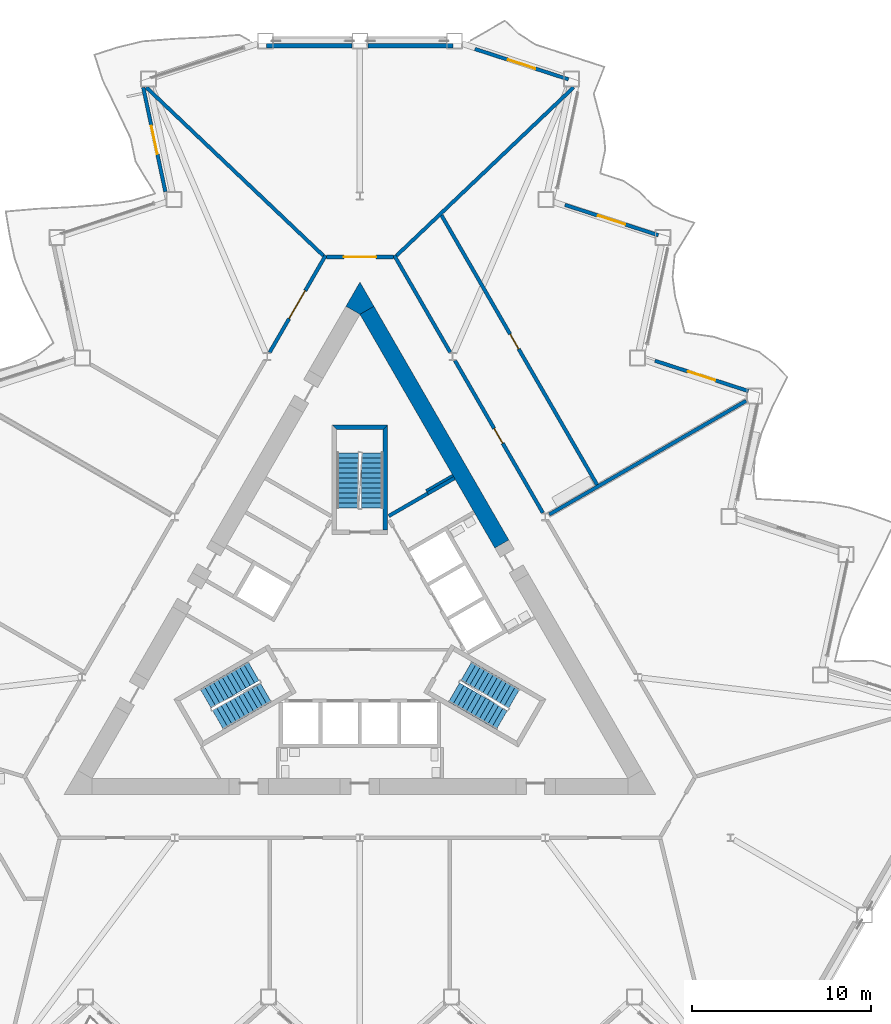
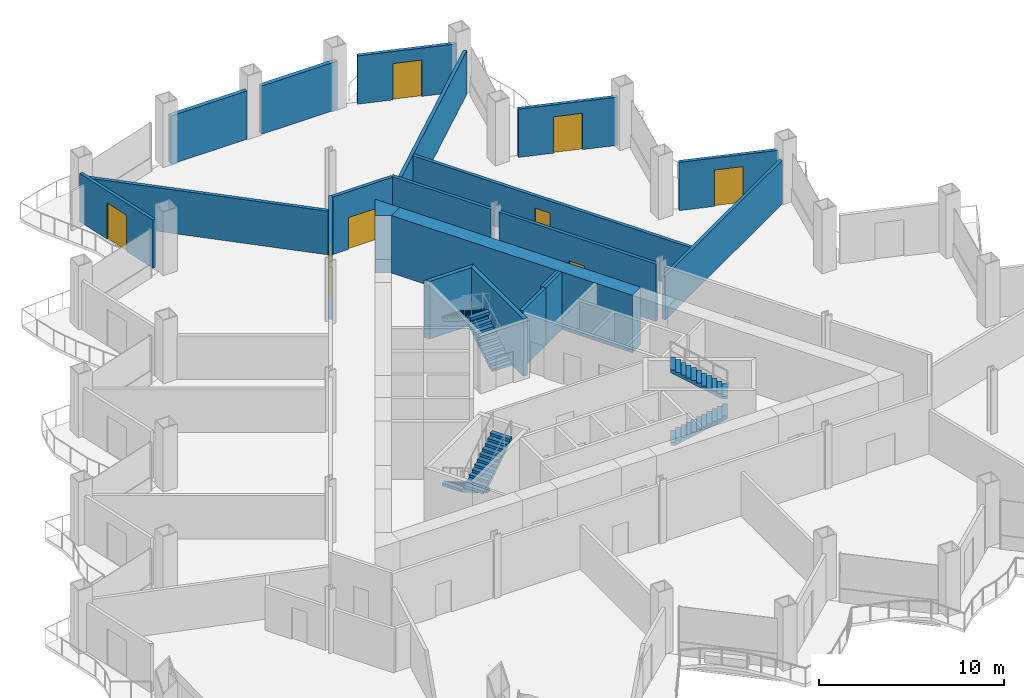
# One storey, part 13 of 21: 21 walls, 8 doors, 6 stair flights, 8 openings, 3 elements without a shape of their own.
"""IFC4 building model written with IfcOpenShell, lengths in metres."""

import ifcopenshell
import ifcopenshell.guid

model = None  # the IFC model being written
_history = None  # IfcOwnerHistory: only IFC2X3 demands one
_inside = {}  # id of a spatial element -> (the spatial element, [elements in it])
_under = {}  # id of a project, library or spatial element -> (it, [spatial elements below it])
_declared = {}  # id of a project -> (the project, [libraries it declares])
_typed = {}  # id of a type object -> (the type object, [elements of that type])
_made_of = {}  # id of a material, layer set ... -> (it, [elements and type objects made of it])


def new_model(schema):
    """Start an empty IFC model of exactly this schema.

    Asked for "IFC4X3", IfcOpenShell would pick the latest addendum, in which some entities
    have other attributes; the version numbers below select the first issue.
    IFC2X3 requires an IfcOwnerHistory on every rooted entity: one is made here for all.
    """
    global model, _history
    if schema == "IFC4X3":
        model = ifcopenshell.file(schema_version=(4, 3, 0, 0))
    else:
        model = ifcopenshell.file(schema=schema)
    _inside.clear()
    _under.clear()
    _declared.clear()
    _typed.clear()
    _made_of.clear()
    _history = None
    if model.schema == "IFC2X3":
        org = make("IfcOrganization", Name="unknown")
        user = make(
            "IfcPersonAndOrganization",
            ThePerson=make("IfcPerson", FamilyName="unknown"),
            TheOrganization=org,
        )
        app = make(
            "IfcApplication",
            ApplicationDeveloper=org,
            Version="unknown",
            ApplicationFullName="unknown",
            ApplicationIdentifier="unknown",
        )
        _history = make(
            "IfcOwnerHistory",
            OwningUser=user,
            OwningApplication=app,
            ChangeAction="ADDED",
            CreationDate=0,
        )
    return model


def make(cls, **values):
    """One entity of the class cls with the attributes given. An attribute that is None is left unset."""
    return model.create_entity(
        cls, **{name: value for name, value in values.items() if value is not None}
    )


def rooted(cls, **values):
    """An entity with a GlobalId (a new one), such as an element, a storey or a relation."""
    return make(cls, GlobalId=ifcopenshell.guid.new(), OwnerHistory=_history, **values)


def si_unit(unit_type, name, prefix=None):
    """IfcSIUnit, for example si_unit("LENGTHUNIT", "METRE", prefix="MILLI")."""
    return make("IfcSIUnit", UnitType=unit_type, Prefix=prefix, Name=name)


def assignment(units):
    """IfcUnitAssignment: the units of a project."""
    return None if units is None else make("IfcUnitAssignment", Units=units)


def point(xyz):
    """IfcCartesianPoint."""
    return None if xyz is None else make("IfcCartesianPoint", Coordinates=xyz)


def direction(xyz):
    """IfcDirection."""
    return None if xyz is None else make("IfcDirection", DirectionRatios=xyz)


def frame(location, z_axis=None, x_axis=None):
    """IfcAxis2Placement3D, a coordinate frame: its origin and axes. An axis left out is left unset."""
    return make(
        "IfcAxis2Placement3D",
        Location=point(location),
        Axis=direction(z_axis),
        RefDirection=direction(x_axis),
    )


def frame_2d(location, x_axis=None):
    """IfcAxis2Placement2D, a coordinate frame in the plane: its origin and x axis."""
    return make(
        "IfcAxis2Placement2D", Location=point(location), RefDirection=direction(x_axis)
    )


def origin():
    """The frame at (0, 0, 0) with its axes left unset."""
    return frame((0.0, 0.0, 0.0))


def place(relative_to, where):
    """IfcLocalPlacement: puts the frame where relative to a parent placement (None: the world)."""
    return make(
        "IfcLocalPlacement", PlacementRelTo=relative_to, RelativePlacement=where
    )


def context(
    kind, dimensions, precision=None, world=None, true_north=None, identifier=None
):
    """IfcGeometricRepresentationContext, for example the 3D "Model" context."""
    return make(
        "IfcGeometricRepresentationContext",
        ContextIdentifier=identifier,
        ContextType=kind,
        CoordinateSpaceDimension=dimensions,
        Precision=precision,
        WorldCoordinateSystem=world,
        TrueNorth=true_north,
    )


def subcontext(parent, identifier, kind, view, scale=None):
    """IfcGeometricRepresentationSubContext, for example "Body" below "Model"."""
    return make(
        "IfcGeometricRepresentationSubContext",
        ContextIdentifier=identifier,
        ContextType=kind,
        ParentContext=parent,
        TargetScale=scale,
        TargetView=view,
    )


def project(units=None, contexts=None):
    """IfcProject with its units and contexts."""
    return rooted(
        "IfcProject",
        Name="project",
        RepresentationContexts=contexts,
        UnitsInContext=assignment(units),
    )


def spatial(cls, under=None, at=None, **own):
    """A site, building, storey or space (cls), placed at a placement, below another one or the project."""
    s = rooted(cls, ObjectPlacement=at, **own)
    if under is not None:
        _under.setdefault(under.id(), (under, []))[1].append(s)
    return s


def polyline(points):
    """IfcPolyline through the points."""
    return make("IfcPolyline", Points=[point(p) for p in points])


def profile(cls, at=None, kind="AREA", **sizes):
    """A parametric profile (cls). Its sizes go by their IFC names, for example OverallWidth=200.0."""
    return make(cls, ProfileType=kind, Position=at, **sizes)


def rectangle(**sizes):
    """IfcRectangleProfileDef."""
    return profile("IfcRectangleProfileDef", **sizes)


def outline(outer, holes=None, kind="AREA"):
    """IfcArbitraryClosedProfileDef: a profile drawn as a closed curve; with holes, ...WithVoids."""
    if holes is None:
        return make("IfcArbitraryClosedProfileDef", ProfileType=kind, OuterCurve=outer)
    return make(
        "IfcArbitraryProfileDefWithVoids",
        ProfileType=kind,
        OuterCurve=outer,
        InnerCurves=holes,
    )


def extrude(swept, where, along, depth):
    """IfcExtrudedAreaSolid: the profile swept, set in the frame where, extruded along a direction by depth."""
    return make(
        "IfcExtrudedAreaSolid",
        SweptArea=swept,
        Position=where,
        ExtrudedDirection=direction(along),
        Depth=depth,
    )


def shape(context_of_items, identifier, shape_type, items):
    """IfcShapeRepresentation: the items that make up one representation, for example the "Body"."""
    return make(
        "IfcShapeRepresentation",
        ContextOfItems=context_of_items,
        RepresentationIdentifier=identifier,
        RepresentationType=shape_type,
        Items=items,
    )


def material(Name=None, Category=None):
    """IfcMaterial."""
    return make("IfcMaterial", Name=Name, Category=Category)


def layer(
    of_material, thickness, ventilated=None, Name=None, Category=None, Priority=None
):
    """IfcMaterialLayer: one layer of a wall or slab, of a material (None: an air gap)."""
    return make(
        "IfcMaterialLayer",
        Material=of_material,
        LayerThickness=thickness,
        IsVentilated=ventilated,
        Name=Name,
        Category=Category,
        Priority=Priority,
    )


def layer_set(layers, Name=None):
    """IfcMaterialLayerSet."""
    return make("IfcMaterialLayerSet", MaterialLayers=layers, LayerSetName=Name)


def made_of(thing, what):
    """Note that an element or type object is made of a material, layer set ...; save() writes the relation."""
    if what is not None:
        _made_of.setdefault(what.id(), (what, []))[1].append(thing)
    return thing


def type_object(cls, material=None, **own):
    """A type object (cls), such as IfcWallType, which elements share."""
    return made_of(rooted(cls, **own), material)


def element(
    cls,
    number,
    at=None,
    inside=None,
    cuts=None,
    type_object=None,
    material=None,
    context=None,
    identifier="Body",
    shape_type=None,
    held_by="IfcProductDefinitionShape",
    body=None,
    shapes=None,
    **own,
):
    """One element of the class cls, such as IfcWall. Its Tag is "e" and its number.

    at: its placement. inside: the storey or other place that contains it. cuts: it is an
    opening in that element (IfcRelVoidsElement). A single representation is given by context,
    identifier, shape_type and body (its items); several are given by shapes. held_by: the class
    of the entity that holds the representations. save() writes the other relations.
    """
    e = rooted(cls, Tag="e%d" % number, ObjectPlacement=at, **own)
    if body is not None:
        shapes = [shape(context, identifier, shape_type, body)]
    if shapes is not None:
        e.Representation = make(held_by, Representations=shapes)
    if inside is not None:
        _inside.setdefault(inside.id(), (inside, []))[1].append(e)
    if cuts is not None:
        rooted(
            "IfcRelVoidsElement", RelatingBuildingElement=cuts, RelatedOpeningElement=e
        )
    if type_object is not None:
        _typed.setdefault(type_object.id(), (type_object, []))[1].append(e)
    return made_of(e, material)


def fill(opening, filler):
    """IfcRelFillsElement: the door or window that sits in an opening."""
    return rooted(
        "IfcRelFillsElement",
        RelatingOpeningElement=opening,
        RelatedBuildingElement=filler,
    )


def aggregate(whole, parts):
    """IfcRelAggregates: a whole, such as a stair, and the parts it consists of."""
    return rooted("IfcRelAggregates", RelatingObject=whole, RelatedObjects=parts)


def save(model, path):
    """Write the relations noted so far, then the file.

    IfcRelAggregates (storeys below a building ...), IfcRelContainedInSpatialStructure (elements
    in a storey), IfcRelDefinesByType, IfcRelAssociatesMaterial and IfcRelDeclares: one each for
    every whole, place, type object, material and project.
    """
    for whole, parts in _under.values():
        aggregate(whole, parts)
    for where, things in _inside.values():
        rooted(
            "IfcRelContainedInSpatialStructure",
            RelatedElements=things,
            RelatingStructure=where,
        )
    for kind, things in _typed.values():
        rooted("IfcRelDefinesByType", RelatedObjects=things, RelatingType=kind)
    for what, things in _made_of.values():
        rooted("IfcRelAssociatesMaterial", RelatedObjects=things, RelatingMaterial=what)
    for by, libraries in _declared.values():
        rooted("IfcRelDeclares", RelatingContext=by, RelatedDefinitions=libraries)
    model.write(path)


model = new_model("IFC4")

# Units and contexts
model_context = context("Model", 3, precision=1e-05, world=origin(), true_north=direction((0.0, 1.0)))
body_context = subcontext(model_context, "Body", "Model", "MODEL_VIEW")
ifc_project = project(units=[si_unit("LENGTHUNIT", "METRE"), si_unit("AREAUNIT", "SQUARE_METRE"), si_unit("VOLUMEUNIT", "CUBIC_METRE"), si_unit("PLANEANGLEUNIT", "RADIAN"), si_unit("MASSUNIT", "GRAM", prefix="KILO")], contexts=[model_context])

# Site, building, storey
site_placement = place(None, origin())
site = spatial("IfcSite", under=ifc_project, at=site_placement, CompositionType="ELEMENT")
building_placement = place(site_placement, origin())
building = spatial("IfcBuilding", under=site, at=building_placement, Name="Cormorant Prow Tower", CompositionType="ELEMENT")
storey_placement = place(building_placement, frame((0.0, 0.0, 116.39990234375)))
storey = spatial("IfcBuildingStorey", under=building, at=storey_placement, Name="L24", CompositionType="ELEMENT", Elevation=116.39990234375)

# Walls
ifc_material_1 = material(Name="Gypsum board partition")
ifc_layer_1 = layer(ifc_material_1, 0.14990234375)
ifc_layer_set_1 = layer_set([ifc_layer_1], Name="Gypsum board partition")
wall_type_1 = type_object("IfcWallType", Name="Core partition 150", PredefinedType="PARTITIONING", material=ifc_layer_set_1)
wall_1_placement = place(storey_placement, frame((3.693359375, 7.4150390625, 0.0), z_axis=(0.0, 0.0, 1.0), x_axis=(0.866024871741, 0.500000921525, 0.0)))
element("IfcWall", 1, at=wall_1_placement, inside=storey, type_object=wall_type_1, Name="Service room partition", PredefinedType="PARTITIONING", context=body_context, shape_type="SweptSolid", body=[
    extrude(rectangle(XDim=1.72021484375, YDim=0.14990234375, at=frame_2d((0.860107421875, 0.0))), origin(), (0.0, 0.0, 1.0), 3.800048828125),
])
ifc_material_2 = material(Name="Concrete 8000 psi", Category="concrete")
ifc_layer_2 = layer(ifc_material_2, 0.89990234375)
ifc_layer_set_2 = layer_set([ifc_layer_2], Name="Concrete 8000 psi")
wall_type_2 = type_object("IfcWallType", Name="Core shear wall 900", PredefinedType="SHEAR", material=ifc_layer_set_2)
wall_2_placement = place(storey_placement, frame((7.910400390625, 4.451416015625, 0.0), z_axis=(0.0, 0.0, 1.0), x_axis=(-0.500005799286, 0.866022055539, 0.0)))
element("IfcWall", 2, at=wall_2_placement, inside=storey, type_object=wall_type_2, Name="Core wall", PredefinedType="SHEAR", context=body_context, shape_type="SweptSolid", body=[
    extrude(rectangle(XDim=15.041259765625, YDim=0.89990234375, at=frame_2d((7.5205078125, 0.0))), origin(), (0.0, 0.0, 1.0), 3.800048828125),
])
wall_3_placement = place(storey_placement, origin())
element("IfcWall", 3, at=wall_3_placement, inside=storey, type_object=wall_type_2, Name="Core wall corner", PredefinedType="SHEAR", context=body_context, shape_type="SweptSolid", body=[
    extrude(outline(polyline([(-0.779296875, 17.70263671875), (0.0, 19.052490234375), (0.779296875, 17.70263671875), (0.0, 17.252685546875), (-0.779296875, 17.70263671875)])), origin(), (0.0, 0.0, 1.0), 3.800048828125),
])

# Wall, opening, door
ifc_material_3 = material(Name="Gypsum board corridor wall")
ifc_layer_3 = layer(ifc_material_3, 0.199951171875)
ifc_layer_set_3 = layer_set([ifc_layer_3], Name="Gypsum board corridor wall")
wall_type_3 = type_object("IfcWallType", Name="Corridor wall 200", PredefinedType="PARTITIONING", material=ifc_layer_set_3)
wall_4_placement = place(storey_placement, frame((5.29541015625, 14.680419921875, 0.0), z_axis=(0.0, 0.0, 1.0), x_axis=(0.500012035596, -0.866018454918, 0.0)))
wall_4 = element("IfcWall", 4, at=wall_4_placement, inside=storey, type_object=wall_type_3, Name="Corridor wall", PredefinedType="PARTITIONING", context=body_context, shape_type="SweptSolid", body=[
    extrude(rectangle(XDim=9.803466796875, YDim=0.199951171875, at=frame_2d((4.90185546875, 0.0))), origin(), (0.0, 0.0, 1.0), 3.800048828125),
])
opening_1_placement = place(wall_4_placement, frame((4.376220703125, 0.0, 0.0)))
opening_1 = element("IfcOpeningElement", 5, at=opening_1_placement, cuts=wall_4, Name="Opening L24-F06", PredefinedType="OPENING", context=body_context, shape_type="SweptSolid", body=[
    extrude(rectangle(XDim=0.949951171875, YDim=2.10009765625, at=frame_2d((0.47509765625, 1.050048828125))), frame((0.0, 0.10986328125, 0.0), z_axis=(0.0, -1.0, 0.0), x_axis=(1.0, 0.0, 0.0)), (0.0, 0.0, 1.0), 0.219970703125),
])
ifc_material_4 = material(Name="Timber door leaf", Category="wood")
door_type_1 = type_object("IfcDoorType", Name="Store door 950x2100", OperationType="NOTDEFINED", PredefinedType="DOOR", material=ifc_material_4)
door_1_placement = place(opening_1_placement, origin())
door_1 = element("IfcDoor", 6, at=door_1_placement, inside=storey, type_object=door_type_1, Name="Tea point and pantry door", OperationType="SINGLE_SWING_RIGHT", OverallHeight=2.10009765625, OverallWidth=0.949951171875, PredefinedType="DOOR", context=body_context, shape_type="SweptSolid", body=[
    extrude(rectangle(XDim=0.949951171875, YDim=2.10009765625, at=frame_2d((0.47509765625, 1.050048828125))), frame((0.0, 0.02490234375, 0.0), z_axis=(0.0, -1.0, 0.0), x_axis=(1.0, 0.0, 0.0)), (0.0, 0.0, 1.0), 0.050048828125),
])
fill(opening_1, door_1)

wall_5_placement = place(storey_placement, frame((-5.032958984375, 15.13525390625, 0.0), z_axis=(0.0, 0.0, 1.0), x_axis=(0.499980978912, 0.866036385336, 0.0)))
wall_5 = element("IfcWall", 7, at=wall_5_placement, inside=storey, type_object=wall_type_3, Name="Corridor wall", PredefinedType="PARTITIONING", context=body_context, shape_type="SweptSolid", body=[
    extrude(rectangle(XDim=6.239990234375, YDim=0.199951171875, at=frame_2d((3.1201171875, 0.0))), origin(), (0.0, 0.0, 1.0), 3.800048828125),
])
opening_2_placement = place(wall_5_placement, frame((2.16943359375, 0.0, 0.0)))
opening_2 = element("IfcOpeningElement", 8, at=opening_2_placement, cuts=wall_5, Name="Opening L24-F09", PredefinedType="OPENING", context=body_context, shape_type="SweptSolid", body=[
    extrude(rectangle(XDim=1.800048828125, YDim=2.10009765625, at=frame_2d((0.89990234375, 1.050048828125))), frame((0.0, 0.10986328125, 0.0), z_axis=(0.0, -1.0, 0.0), x_axis=(1.0, 0.0, 0.0)), (0.0, 0.0, 1.0), 0.219970703125),
])
ifc_material_5 = material(Name="Timber door leaf", Category="wood")
door_type_2 = type_object("IfcDoorType", Name="Double door 1800x2100", OperationType="DOUBLE_DOOR_SINGLE_SWING", PredefinedType="DOOR", material=ifc_material_5)
door_2_placement = place(opening_2_placement, origin())
door_2 = element("IfcDoor", 9, at=door_2_placement, inside=storey, type_object=door_type_2, Name="Open-plan office door", OperationType="DOUBLE_DOOR_SINGLE_SWING", OverallHeight=2.10009765625, OverallWidth=1.800048828125, PredefinedType="DOOR", context=body_context, shape_type="SweptSolid", body=[
    extrude(rectangle(XDim=1.800048828125, YDim=2.10009765625, at=frame_2d((0.89990234375, 1.050048828125))), frame((0.0, 0.02490234375, 0.0), z_axis=(0.0, -1.0, 0.0), x_axis=(1.0, 0.0, 0.0)), (0.0, 0.0, 1.0), 0.050048828125),
])
fill(opening_2, door_2)

# Wall
wall_6_placement = place(storey_placement, frame((1.9130859375, 20.539306640625, 0.0), z_axis=(0.0, 0.0, 1.0), x_axis=(0.499980978912, -0.866036385336, 0.0)))
element("IfcWall", 10, at=wall_6_placement, inside=storey, type_object=wall_type_3, Name="Corridor wall", PredefinedType="PARTITIONING", context=body_context, shape_type="SweptSolid", body=[
    extrude(rectangle(XDim=6.239990234375, YDim=0.199951171875, at=frame_2d((3.1201171875, 0.0))), origin(), (0.0, 0.0, 1.0), 3.800048828125),
])

# Wall, opening, door
wall_7_placement = place(storey_placement, frame((-1.863037109375, 20.45263671875, 0.0), z_axis=(0.0, 0.0, 1.0), x_axis=(1.0, 0.0, 0.0)))
wall_7 = element("IfcWall", 11, at=wall_7_placement, inside=storey, type_object=wall_type_3, Name="Corridor wall", PredefinedType="PARTITIONING", context=body_context, shape_type="SweptSolid", body=[
    extrude(rectangle(XDim=3.72607421875, YDim=0.199951171875, at=frame_2d((1.863037109375, 0.0))), origin(), (0.0, 0.0, 1.0), 3.800048828125),
])
opening_3_placement = place(wall_7_placement, frame((0.962890625, 0.0, 0.0)))
opening_3 = element("IfcOpeningElement", 12, at=opening_3_placement, cuts=wall_7, Name="Opening L24-F08", PredefinedType="OPENING", context=body_context, shape_type="SweptSolid", body=[
    extrude(rectangle(XDim=1.800048828125, YDim=2.10009765625, at=frame_2d((0.89990234375, 1.050048828125))), frame((0.0, 0.10986328125, 0.0), z_axis=(0.0, -1.0, 0.0), x_axis=(1.0, 0.0, 0.0)), (0.0, 0.0, 1.0), 0.219970703125),
])
door_3_placement = place(opening_3_placement, origin())
door_3 = element("IfcDoor", 13, at=door_3_placement, inside=storey, type_object=door_type_2, Name="Open-plan office door", OperationType="DOUBLE_DOOR_SINGLE_SWING", OverallHeight=2.10009765625, OverallWidth=1.800048828125, PredefinedType="DOOR", context=body_context, shape_type="SweptSolid", body=[
    extrude(rectangle(XDim=1.800048828125, YDim=2.10009765625, at=frame_2d((0.89990234375, 1.050048828125))), frame((0.0, 0.02490234375, 0.0), z_axis=(0.0, -1.0, 0.0), x_axis=(1.0, 0.0, 0.0)), (0.0, 0.0, 1.0), 0.050048828125),
])
fill(opening_3, door_3)

ifc_material_6 = material(Name="Gypsum board demising wall")
ifc_layer_4 = layer(ifc_material_6, 0.199951171875)
ifc_layer_set_4 = layer_set([ifc_layer_4], Name="Gypsum board demising wall")
wall_type_4 = type_object("IfcWallType", Name="Demising wall 200", PredefinedType="PARTITIONING", material=ifc_layer_set_4)
wall_8_placement = place(storey_placement, frame((4.5478515625, 22.775390625, 0.0), z_axis=(0.0, 0.0, 1.0), x_axis=(0.499999764473, -0.866025539766, 0.0)))
wall_8 = element("IfcWall", 14, at=wall_8_placement, inside=storey, type_object=wall_type_4, Name="Demising wall", PredefinedType="PARTITIONING", context=body_context, shape_type="SweptSolid", body=[
    extrude(rectangle(XDim=17.35009765625, YDim=0.199951171875, at=frame_2d((8.675048828125, 0.0))), origin(), (0.0, 0.0, 1.0), 2.885498046875),
])
opening_4_placement = place(wall_8_placement, frame((7.650146484375, 0.0, 0.0)))
opening_4 = element("IfcOpeningElement", 15, at=opening_4_placement, cuts=wall_8, Name="Opening L24-F07", PredefinedType="OPENING", context=body_context, shape_type="SweptSolid", body=[
    extrude(rectangle(XDim=0.949951171875, YDim=2.10009765625, at=frame_2d((0.47509765625, 1.050048828125))), frame((0.0, 0.10986328125, 0.0), z_axis=(0.0, -1.0, 0.0), x_axis=(1.0, 0.0, 0.0)), (0.0, 0.0, 1.0), 0.219970703125),
])
door_4_placement = place(opening_4_placement, origin())
door_4 = element("IfcDoor", 16, at=door_4_placement, inside=storey, type_object=door_type_1, Name="Print and copy room door", OperationType="SINGLE_SWING_RIGHT", OverallHeight=2.10009765625, OverallWidth=0.949951171875, PredefinedType="DOOR", context=body_context, shape_type="SweptSolid", body=[
    extrude(rectangle(XDim=0.949951171875, YDim=2.10009765625, at=frame_2d((0.47509765625, 1.050048828125))), frame((0.0, 0.02490234375, 0.0), z_axis=(0.0, -1.0, 0.0), x_axis=(1.0, 0.0, 0.0)), (0.0, 0.0, 1.0), 0.050048828125),
])
fill(opening_4, door_4)

# Walls
for number, where, z_axis, x_axis, name in (
    (17, (2.035400390625, 20.521484375, 0.0), (0.0, 0.0, 1.0), (0.724819524984, 0.688938789881, 0.0), "Demising wall"),
    (18, (-11.908935546875, 29.90625, 0.0), (0.0, 0.0, 1.0), (0.724819524984, -0.688938789881, 0.0), "Demising wall"),
):
    element("IfcWall", number, at=place(storey_placement, frame(where, z_axis=z_axis, x_axis=x_axis)), inside=storey, type_object=wall_type_4, Name=name, PredefinedType="PARTITIONING", context=body_context, shape_type="SweptSolid", body=[
        extrude(rectangle(XDim=13.6220703125, YDim=0.199951171875, at=frame_2d((6.81103515625, 0.0))), origin(), (0.0, 0.0, 1.0), 2.885498046875),
    ])
wall_9_placement = place(storey_placement, frame((10.555908203125, 6.094482421875, 0.0), z_axis=(0.0, 0.0, 1.0), x_axis=(0.86602461759, 0.500001361726, 0.0)))
element("IfcWall", 19, at=wall_9_placement, inside=storey, type_object=wall_type_4, Name="Demising wall", PredefinedType="PARTITIONING", context=body_context, shape_type="SweptSolid", body=[
    extrude(rectangle(XDim=12.67919921875, YDim=0.199951171875, at=frame_2d((6.339599609375, 0.0))), origin(), (0.0, 0.0, 1.0), 2.885498046875),
])
ifc_material_7 = material(Name="Concrete 8000 psi", Category="concrete")
ifc_layer_5 = layer(ifc_material_7, 0.199951171875)
ifc_layer_set_5 = layer_set([ifc_layer_5], Name="Concrete 8000 psi")
wall_type_5 = type_object("IfcWallType", Name="Lift shaft wall 200", PredefinedType="SHEAR", material=ifc_layer_set_5)
wall_10_placement = place(storey_placement, origin())
element("IfcWall", 20, at=wall_10_placement, inside=storey, type_object=wall_type_5, Name="Lift shaft walls, ENE block", PredefinedType="SHEAR", context=body_context, shape_type="SweptSolid", body=[
    extrude(outline(polyline([(1.560546875, 6.09716796875), (3.730712890625, 7.35009765625), (3.830810546875, 7.177001953125), (1.660400390625, 5.923828125), (1.560546875, 6.09716796875)])), origin(), (0.0, 0.0, 1.0), 3.800048828125),
])
wall_11_placement = place(storey_placement, frame((3.78076171875, 7.263427734375, 0.0), z_axis=(0.0, 0.0, 1.0), x_axis=(0.865963414263, 0.500107353632, 0.0)))
element("IfcWall", 21, at=wall_11_placement, inside=storey, type_object=wall_type_5, Name="Store side wall", PredefinedType="SHEAR", context=body_context, shape_type="SweptSolid", body=[
    extrude(rectangle(XDim=1.72021484375, YDim=0.199951171875, at=frame_2d((0.860107421875, 0.0))), origin(), (0.0, 0.0, 1.0), 3.800048828125),
])
ifc_material_8 = material(Name="Concrete 8000 psi", Category="concrete")
ifc_layer_6 = layer(ifc_material_8, 0.25)
ifc_layer_set_6 = layer_set([ifc_layer_6], Name="Concrete 8000 psi")
wall_type_6 = type_object("IfcWallType", Name="Stair wall 250", PredefinedType="SHEAR", material=ifc_layer_set_6)
wall_12_placement = place(storey_placement, origin())
element("IfcWall", 22, at=wall_12_placement, inside=storey, type_object=wall_type_6, Name="Stair ST3 enclosure wall (flank)", PredefinedType="SHEAR", context=body_context, shape_type="SweptSolid", body=[
    extrude(outline(polyline([(1.5439453125, 5.23681640625), (1.5439453125, 11.0869140625), (1.2939453125, 10.8369140625), (1.2939453125, 5.23681640625), (1.5439453125, 5.23681640625)])), origin(), (0.0, 0.0, 1.0), 3.800048828125),
])
wall_13_placement = place(storey_placement, origin())
element("IfcWall", 23, at=wall_13_placement, inside=storey, type_object=wall_type_6, Name="Stair ST3 enclosure wall (end)", PredefinedType="SHEAR", context=body_context, shape_type="SweptSolid", body=[
    extrude(outline(polyline([(1.5439453125, 11.0869140625), (-1.5439453125, 11.0869140625), (-1.2939453125, 10.8369140625), (1.2939453125, 10.8369140625), (1.5439453125, 11.0869140625)])), origin(), (0.0, 0.0, 1.0), 3.800048828125),
])
ifc_material_9 = material(Name="Terracotta", Category="masonry")
ifc_layer_7 = layer(ifc_material_9, 0.25)
ifc_layer_set_7 = layer_set([ifc_layer_7], Name="Terracotta")
wall_type_7 = type_object("IfcWallType", Name="Terracotta bay wall 250", PredefinedType="SOLIDWALL", material=ifc_layer_set_7)
for number, where, z_axis, x_axis, name in (
    (24, (5.20068359375, 32.216552734375, 0.0), (0.0, 0.0, 1.0), (-1.0, 0.0, 0.0), "Terracotta bay wall N00"),
    (25, (-0.449951171875, 32.216552734375, 0.0), (0.0, 0.0, 1.0), (-1.0, 0.0, 0.0), "Terracotta bay wall N01"),
):
    element("IfcWall", number, at=place(storey_placement, frame(where, z_axis=z_axis, x_axis=x_axis)), inside=storey, type_object=wall_type_7, Name=name, PredefinedType="SOLIDWALL", context=body_context, shape_type="SweptSolid", body=[
        extrude(rectangle(XDim=4.750732421875, YDim=0.25, at=frame_2d((2.37548828125, 0.0))), origin(), (0.0, 0.0, 1.0), 3.18896484375),
    ])

# Wall, opening, door
ifc_material_10 = material(Name="Terracotta", Category="masonry")
ifc_layer_8 = layer(ifc_material_10, 0.199951171875)
ifc_layer_set_8 = layer_set([ifc_layer_8], Name="Terracotta")
wall_type_8 = type_object("IfcWallType", Name="Terracotta jamb wall 200", PredefinedType="SOLIDWALL", material=ifc_layer_set_8)
wall_14_placement = place(storey_placement, frame((21.658935546875, 12.973388671875, 0.0), z_axis=(0.0, 0.0, 1.0), x_axis=(-0.951065819309, 0.308988361175, 0.0)))
wall_14 = element("IfcWall", 26, at=wall_14_placement, inside=storey, type_object=wall_type_8, Name="Terracotta jamb wall ENE05", PredefinedType="SOLIDWALL", context=body_context, shape_type="SweptSolid", body=[
    extrude(rectangle(XDim=5.480224609375, YDim=0.199951171875, at=frame_2d((2.740234375, 0.0))), origin(), (0.0, 0.0, 1.0), 3.18896484375),
])
opening_5_placement = place(wall_14_placement, frame((1.940185546875, 0.0, 0.0)))
opening_5 = element("IfcOpeningElement", 27, at=opening_5_placement, cuts=wall_14, Name="Opening ED24.08", PredefinedType="OPENING", context=body_context, shape_type="SweptSolid", body=[
    extrude(rectangle(XDim=1.60009765625, YDim=2.39990234375, at=frame_2d((0.800048828125, 1.199951171875))), frame((0.0, 0.10986328125, 0.0), z_axis=(0.0, -1.0, 0.0), x_axis=(1.0, 0.0, 0.0)), (0.0, 0.0, 1.0), 0.219970703125),
])
ifc_material_11 = material(Name="Aluminium 6063-T6", Category="aluminium")
door_type_3 = type_object("IfcDoorType", Name="Balcony door 1600x2400", OperationType="DOUBLE_DOOR_SINGLE_SWING", PredefinedType="DOOR", material=ifc_material_11)
door_5_placement = place(opening_5_placement, origin())
door_5 = element("IfcDoor", 28, at=door_5_placement, inside=storey, type_object=door_type_3, Name="Balcony door ENE05 ED24.08", OperationType="DOUBLE_DOOR_SINGLE_SWING", OverallHeight=2.39990234375, OverallWidth=1.60009765625, PredefinedType="DOOR", context=body_context, shape_type="SweptSolid", body=[
    extrude(rectangle(XDim=1.60009765625, YDim=2.39990234375, at=frame_2d((0.800048828125, 1.199951171875))), frame((0.0, 0.02490234375, 0.0), z_axis=(0.0, -1.0, 0.0), x_axis=(1.0, 0.0, 0.0)), (0.0, 0.0, 1.0), 0.050048828125),
])
fill(opening_5, door_5)

wall_15_placement = place(storey_placement, frame((16.640869140625, 21.664794921875, 0.0), z_axis=(0.0, 0.0, 1.0), x_axis=(-0.951052727247, 0.309028655624, 0.0)))
wall_15 = element("IfcWall", 29, at=wall_15_placement, inside=storey, type_object=wall_type_8, Name="Terracotta jamb wall ENE07", PredefinedType="SOLIDWALL", context=body_context, shape_type="SweptSolid", body=[
    extrude(rectangle(XDim=5.48046875, YDim=0.199951171875, at=frame_2d((2.740234375, 0.0))), origin(), (0.0, 0.0, 1.0), 3.18896484375),
])
opening_6_placement = place(wall_15_placement, frame((1.940185546875, 0.0, 0.0)))
opening_6 = element("IfcOpeningElement", 30, at=opening_6_placement, cuts=wall_15, Name="Opening ED24.09", PredefinedType="OPENING", context=body_context, shape_type="SweptSolid", body=[
    extrude(rectangle(XDim=1.60009765625, YDim=2.39990234375, at=frame_2d((0.800048828125, 1.199951171875))), frame((0.0, 0.10986328125, 0.0), z_axis=(0.0, -1.0, 0.0), x_axis=(1.0, 0.0, 0.0)), (0.0, 0.0, 1.0), 0.219970703125),
])
door_6_placement = place(opening_6_placement, origin())
door_6 = element("IfcDoor", 31, at=door_6_placement, inside=storey, type_object=door_type_3, Name="Balcony door ENE07 ED24.09", OperationType="DOUBLE_DOOR_SINGLE_SWING", OverallHeight=2.39990234375, OverallWidth=1.60009765625, PredefinedType="DOOR", context=body_context, shape_type="SweptSolid", body=[
    extrude(rectangle(XDim=1.60009765625, YDim=2.39990234375, at=frame_2d((0.800048828125, 1.199951171875))), frame((0.0, 0.02490234375, 0.0), z_axis=(0.0, -1.0, 0.0), x_axis=(1.0, 0.0, 0.0)), (0.0, 0.0, 1.0), 0.050048828125),
])
fill(opening_6, door_6)

wall_16_placement = place(storey_placement, frame((11.622802734375, 30.356201171875, 0.0), z_axis=(0.0, 0.0, 1.0), x_axis=(-0.951052727247, 0.309028655624, 0.0)))
wall_16 = element("IfcWall", 32, at=wall_16_placement, inside=storey, type_object=wall_type_8, Name="Terracotta jamb wall ENE09", PredefinedType="SOLIDWALL", context=body_context, shape_type="SweptSolid", body=[
    extrude(rectangle(XDim=5.48046875, YDim=0.199951171875, at=frame_2d((2.740234375, 0.0))), origin(), (0.0, 0.0, 1.0), 3.18896484375),
])
opening_7_placement = place(wall_16_placement, frame((1.940185546875, 0.0, 0.0)))
opening_7 = element("IfcOpeningElement", 33, at=opening_7_placement, cuts=wall_16, Name="Opening ED24.10", PredefinedType="OPENING", context=body_context, shape_type="SweptSolid", body=[
    extrude(rectangle(XDim=1.60009765625, YDim=2.39990234375, at=frame_2d((0.800048828125, 1.199951171875))), frame((0.0, 0.10986328125, 0.0), z_axis=(0.0, -1.0, 0.0), x_axis=(1.0, 0.0, 0.0)), (0.0, 0.0, 1.0), 0.219970703125),
])
door_7_placement = place(opening_7_placement, origin())
door_7 = element("IfcDoor", 34, at=door_7_placement, inside=storey, type_object=door_type_3, Name="Balcony door ENE09 ED24.10", OperationType="DOUBLE_DOOR_SINGLE_SWING", OverallHeight=2.39990234375, OverallWidth=1.60009765625, PredefinedType="DOOR", context=body_context, shape_type="SweptSolid", body=[
    extrude(rectangle(XDim=1.60009765625, YDim=2.39990234375, at=frame_2d((0.800048828125, 1.199951171875))), frame((0.0, 0.02490234375, 0.0), z_axis=(0.0, -1.0, 0.0), x_axis=(1.0, 0.0, 0.0)), (0.0, 0.0, 1.0), 0.050048828125),
])
fill(opening_7, door_7)

wall_17_placement = place(storey_placement, frame((-12.080810546875, 29.899658203125, 0.0), z_axis=(0.0, 0.0, 1.0), x_axis=(0.207890739357, -0.97815205387, 0.0)))
wall_17 = element("IfcWall", 35, at=wall_17_placement, inside=storey, type_object=wall_type_8, Name="Terracotta jamb wall WNW01", PredefinedType="SOLIDWALL", context=body_context, shape_type="SweptSolid", body=[
    extrude(rectangle(XDim=5.93408203125, YDim=0.199951171875, at=frame_2d((2.967041015625, 0.0))), origin(), (0.0, 0.0, 1.0), 3.18896484375),
])
opening_8_placement = place(wall_17_placement, frame((2.19189453125, 0.0, 0.0)))
opening_8 = element("IfcOpeningElement", 36, at=opening_8_placement, cuts=wall_17, Name="Opening ED24.11", PredefinedType="OPENING", context=body_context, shape_type="SweptSolid", body=[
    extrude(rectangle(XDim=1.60009765625, YDim=2.39990234375, at=frame_2d((0.800048828125, 1.199951171875))), frame((0.0, 0.10986328125, 0.0), z_axis=(0.0, -1.0, 0.0), x_axis=(1.0, 0.0, 0.0)), (0.0, 0.0, 1.0), 0.219970703125),
])
door_8_placement = place(opening_8_placement, origin())
door_8 = element("IfcDoor", 37, at=door_8_placement, inside=storey, type_object=door_type_3, Name="Balcony door WNW01 ED24.11", OperationType="DOUBLE_DOOR_SINGLE_SWING", OverallHeight=2.39990234375, OverallWidth=1.60009765625, PredefinedType="DOOR", context=body_context, shape_type="SweptSolid", body=[
    extrude(rectangle(XDim=1.60009765625, YDim=2.39990234375, at=frame_2d((0.800048828125, 1.199951171875))), frame((0.0, 0.02490234375, 0.0), z_axis=(0.0, -1.0, 0.0), x_axis=(1.0, 0.0, 0.0)), (0.0, 0.0, 1.0), 0.050048828125),
])
fill(opening_8, door_8)

# Stair, stair flights
ifc_material_12 = material(Name="Exit stair 24 risers")
stair_type = type_object("IfcStairType", Name="Exit stair 24 risers", PredefinedType="HALF_TURN_STAIR", material=ifc_material_12)
stair_1_placement = place(storey_placement, origin())
stair_1 = element("IfcStair", 38, at=stair_1_placement, inside=storey, type_object=stair_type, Name="L24 Exit stair ST1", PredefinedType="HALF_TURN_STAIR")
ifc_material_13 = material(Name="Concrete 5000 psi", Category="concrete")
stair_flight_type = type_object("IfcStairFlightType", Name="Stair flight 1219", PredefinedType="STRAIGHT", material=ifc_material_13)
stair_flight_1_placement = place(storey_placement, frame((-5.93310546875, -2.635009765625, 0.0), z_axis=(0.0, 0.0, 1.0), x_axis=(-0.866025403784, -0.5, 0.0)))
stair_flight_1 = element("IfcStairFlight", 39, at=stair_flight_1_placement, type_object=stair_flight_type, Name="ST1 flight 1", NumberOfRisers=12, NumberOfTreads=11, PredefinedType="STRAIGHT", RiserHeight=0.175, TreadLength=0.28, context=body_context, shape_type="SweptSolid", body=[
    extrude(outline(polyline([(0.0, 0.0), (0.0, 0.175048828125), (0.280029296875, 0.175048828125), (0.280029296875, 0.35009765625), (0.56005859375, 0.35009765625), (0.56005859375, 0.52490234375), (0.840087890625, 0.52490234375), (0.840087890625, 0.699951171875), (1.1201171875, 0.699951171875), (1.1201171875, 0.875), (1.39990234375, 0.875), (1.39990234375, 1.050048828125), (1.679931640625, 1.050048828125), (1.679931640625, 1.22509765625), (1.9599609375, 1.22509765625), (1.9599609375, 1.39990234375), (2.239990234375, 1.39990234375), (2.239990234375, 1.574951171875), (2.52001953125, 1.574951171875), (2.52001953125, 1.75), (2.800048828125, 1.75), (2.800048828125, 1.925048828125), (3.080078125, 1.925048828125), (3.080078125, 2.10009765625), (3.080078125, 1.748291015625), (0.28271484375, 0.0), (0.0, 0.0)])), frame((0.0, 0.609375, 0.0), z_axis=(0.0, -1.0, 0.0), x_axis=(1.0, 0.0, 0.0)), (0.0, 0.0, 1.0), 1.218994140625),
])
stair_flight_2_placement = place(storey_placement, frame((-7.916015625, -5.360595703125, 2.10009765625), z_axis=(0.0, 0.0, 1.0), x_axis=(0.866025403784, 0.5, 0.0)))
stair_flight_2 = element("IfcStairFlight", 40, at=stair_flight_2_placement, type_object=stair_flight_type, Name="ST1 flight 2", NumberOfRisers=12, NumberOfTreads=11, PredefinedType="STRAIGHT", RiserHeight=0.175, TreadLength=0.28, context=body_context, shape_type="SweptSolid", body=[
    extrude(outline(polyline([(0.0, 0.0), (0.0, 0.175048828125), (0.280029296875, 0.175048828125), (0.280029296875, 0.35009765625), (0.56005859375, 0.35009765625), (0.56005859375, 0.52490234375), (0.840087890625, 0.52490234375), (0.840087890625, 0.699951171875), (1.1201171875, 0.699951171875), (1.1201171875, 0.875), (1.39990234375, 0.875), (1.39990234375, 1.050048828125), (1.679931640625, 1.050048828125), (1.679931640625, 1.22509765625), (1.9599609375, 1.22509765625), (1.9599609375, 1.39990234375), (2.239990234375, 1.39990234375), (2.239990234375, 1.574951171875), (2.52001953125, 1.574951171875), (2.52001953125, 1.75), (2.800048828125, 1.75), (2.800048828125, 1.925048828125), (3.080078125, 1.925048828125), (3.080078125, 2.10009765625), (3.080078125, 1.748291015625), (0.28271484375, 0.0), (0.0, 0.0)])), frame((0.0, 0.609375, 0.0), z_axis=(0.0, -1.0, 0.0), x_axis=(1.0, 0.0, 0.0)), (0.0, 0.0, 1.0), 1.218994140625),
])
aggregate(stair_1, [stair_flight_1, stair_flight_2])

stair_2_placement = place(storey_placement, origin())
stair_2 = element("IfcStair", 41, at=stair_2_placement, inside=storey, type_object=stair_type, Name="L24 Exit stair ST2", PredefinedType="HALF_TURN_STAIR")
stair_flight_3_placement = place(storey_placement, frame((5.24853515625, -3.82080078125, 0.0), z_axis=(0.0, 0.0, 1.0), x_axis=(0.866025403784, -0.5, 0.0)))
stair_flight_3 = element("IfcStairFlight", 42, at=stair_flight_3_placement, type_object=stair_flight_type, Name="ST2 flight 1", NumberOfRisers=12, NumberOfTreads=11, PredefinedType="STRAIGHT", RiserHeight=0.175, TreadLength=0.28, context=body_context, shape_type="SweptSolid", body=[
    extrude(outline(polyline([(0.0, 0.0), (0.0, 0.175048828125), (0.280029296875, 0.175048828125), (0.280029296875, 0.35009765625), (0.56005859375, 0.35009765625), (0.56005859375, 0.52490234375), (0.840087890625, 0.52490234375), (0.840087890625, 0.699951171875), (1.1201171875, 0.699951171875), (1.1201171875, 0.875), (1.39990234375, 0.875), (1.39990234375, 1.050048828125), (1.679931640625, 1.050048828125), (1.679931640625, 1.22509765625), (1.9599609375, 1.22509765625), (1.9599609375, 1.39990234375), (2.239990234375, 1.39990234375), (2.239990234375, 1.574951171875), (2.52001953125, 1.574951171875), (2.52001953125, 1.75), (2.800048828125, 1.75), (2.800048828125, 1.925048828125), (3.080078125, 1.925048828125), (3.080078125, 2.10009765625), (3.080078125, 1.748291015625), (0.28271484375, 0.0), (0.0, 0.0)])), frame((0.0, 0.609375, 0.0), z_axis=(0.0, -1.0, 0.0), x_axis=(1.0, 0.0, 0.0)), (0.0, 0.0, 1.0), 1.218994140625),
])
stair_flight_4_placement = place(storey_placement, frame((8.6005859375, -4.175048828125, 2.10009765625), z_axis=(0.0, 0.0, 1.0), x_axis=(-0.866025403784, 0.5, 0.0)))
stair_flight_4 = element("IfcStairFlight", 43, at=stair_flight_4_placement, type_object=stair_flight_type, Name="ST2 flight 2", NumberOfRisers=12, NumberOfTreads=11, PredefinedType="STRAIGHT", RiserHeight=0.175, TreadLength=0.28, context=body_context, shape_type="SweptSolid", body=[
    extrude(outline(polyline([(0.0, 0.0), (0.0, 0.175048828125), (0.280029296875, 0.175048828125), (0.280029296875, 0.35009765625), (0.56005859375, 0.35009765625), (0.56005859375, 0.52490234375), (0.840087890625, 0.52490234375), (0.840087890625, 0.699951171875), (1.1201171875, 0.699951171875), (1.1201171875, 0.875), (1.39990234375, 0.875), (1.39990234375, 1.050048828125), (1.679931640625, 1.050048828125), (1.679931640625, 1.22509765625), (1.9599609375, 1.22509765625), (1.9599609375, 1.39990234375), (2.239990234375, 1.39990234375), (2.239990234375, 1.574951171875), (2.52001953125, 1.574951171875), (2.52001953125, 1.75), (2.800048828125, 1.75), (2.800048828125, 1.925048828125), (3.080078125, 1.925048828125), (3.080078125, 2.10009765625), (3.080078125, 1.748291015625), (0.28271484375, 0.0), (0.0, 0.0)])), frame((0.0, 0.609375, 0.0), z_axis=(0.0, -1.0, 0.0), x_axis=(1.0, 0.0, 0.0)), (0.0, 0.0, 1.0), 1.218994140625),
])
aggregate(stair_2, [stair_flight_3, stair_flight_4])

stair_3_placement = place(storey_placement, origin())
stair_3 = element("IfcStair", 44, at=stair_3_placement, inside=storey, type_object=stair_type, Name="L24 Exit stair ST3", PredefinedType="HALF_TURN_STAIR")
stair_flight_5_placement = place(storey_placement, frame((0.6845703125, 6.455810546875, 0.0), z_axis=(0.0, 0.0, 1.0), x_axis=(0.0, 1.0, 0.0)))
stair_flight_5 = element("IfcStairFlight", 45, at=stair_flight_5_placement, type_object=stair_flight_type, Name="ST3 flight 1", NumberOfRisers=12, NumberOfTreads=11, PredefinedType="STRAIGHT", RiserHeight=0.175, TreadLength=0.28, context=body_context, shape_type="SweptSolid", body=[
    extrude(outline(polyline([(0.0, 0.0), (0.0, 0.175048828125), (0.280029296875, 0.175048828125), (0.280029296875, 0.35009765625), (0.56005859375, 0.35009765625), (0.56005859375, 0.52490234375), (0.840087890625, 0.52490234375), (0.840087890625, 0.699951171875), (1.1201171875, 0.699951171875), (1.1201171875, 0.875), (1.39990234375, 0.875), (1.39990234375, 1.050048828125), (1.679931640625, 1.050048828125), (1.679931640625, 1.22509765625), (1.9599609375, 1.22509765625), (1.9599609375, 1.39990234375), (2.239990234375, 1.39990234375), (2.239990234375, 1.574951171875), (2.52001953125, 1.574951171875), (2.52001953125, 1.75), (2.800048828125, 1.75), (2.800048828125, 1.925048828125), (3.080078125, 1.925048828125), (3.080078125, 2.10009765625), (3.080078125, 1.748291015625), (0.28271484375, 0.0), (0.0, 0.0)])), frame((0.0, 0.609375, 0.0), z_axis=(0.0, -1.0, 0.0), x_axis=(1.0, 0.0, 0.0)), (0.0, 0.0, 1.0), 1.218994140625),
])
stair_flight_6_placement = place(storey_placement, frame((-0.6845703125, 9.535888671875, 2.10009765625), z_axis=(0.0, 0.0, 1.0), x_axis=(0.0, -1.0, 0.0)))
stair_flight_6 = element("IfcStairFlight", 46, at=stair_flight_6_placement, type_object=stair_flight_type, Name="ST3 flight 2", NumberOfRisers=12, NumberOfTreads=11, PredefinedType="STRAIGHT", RiserHeight=0.175, TreadLength=0.28, context=body_context, shape_type="SweptSolid", body=[
    extrude(outline(polyline([(0.0, 0.0), (0.0, 0.175048828125), (0.280029296875, 0.175048828125), (0.280029296875, 0.35009765625), (0.56005859375, 0.35009765625), (0.56005859375, 0.52490234375), (0.840087890625, 0.52490234375), (0.840087890625, 0.699951171875), (1.1201171875, 0.699951171875), (1.1201171875, 0.875), (1.39990234375, 0.875), (1.39990234375, 1.050048828125), (1.679931640625, 1.050048828125), (1.679931640625, 1.22509765625), (1.9599609375, 1.22509765625), (1.9599609375, 1.39990234375), (2.239990234375, 1.39990234375), (2.239990234375, 1.574951171875), (2.52001953125, 1.574951171875), (2.52001953125, 1.75), (2.800048828125, 1.75), (2.800048828125, 1.925048828125), (3.080078125, 1.925048828125), (3.080078125, 2.10009765625), (3.080078125, 1.748291015625), (0.28271484375, 0.0), (0.0, 0.0)])), frame((0.0, 0.609375, 0.0), z_axis=(0.0, -1.0, 0.0), x_axis=(1.0, 0.0, 0.0)), (0.0, 0.0, 1.0), 1.218994140625),
])
aggregate(stair_3, [stair_flight_5, stair_flight_6])

save(model, "model.ifc")
